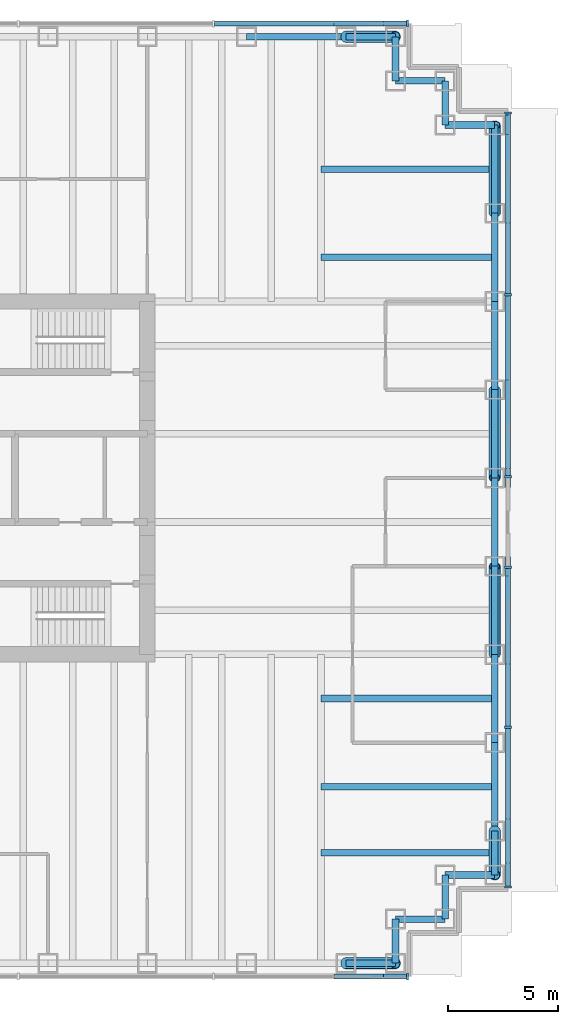
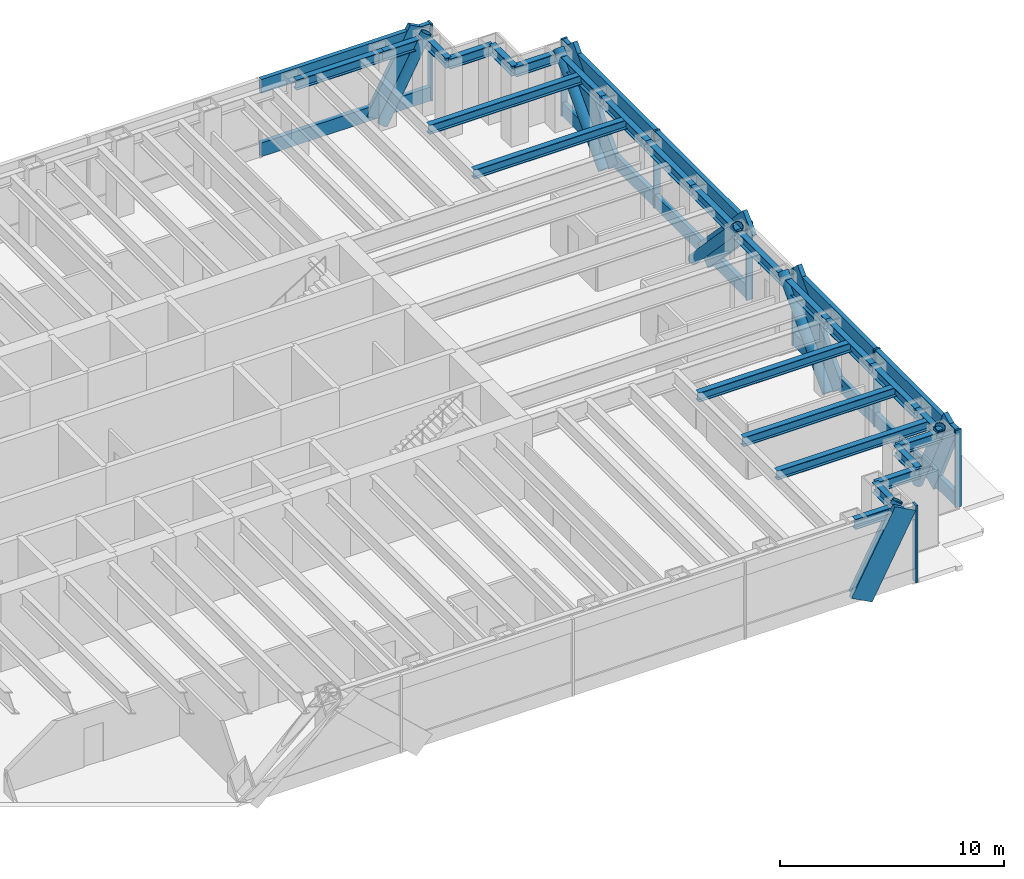
# One storey, part 5 of 12: 30 members, 25 beams, 4 elements without a shape of their own.
"""IFC4 building model written with IfcOpenShell, lengths in metres."""

import ifcopenshell
import ifcopenshell.guid

model = None  # the IFC model being written
_history = None  # IfcOwnerHistory: only IFC2X3 demands one
_inside = {}  # id of a spatial element -> (the spatial element, [elements in it])
_under = {}  # id of a project, library or spatial element -> (it, [spatial elements below it])
_declared = {}  # id of a project -> (the project, [libraries it declares])
_typed = {}  # id of a type object -> (the type object, [elements of that type])
_made_of = {}  # id of a material, layer set ... -> (it, [elements and type objects made of it])


def new_model(schema):
    """Start an empty IFC model of exactly this schema.

    Asked for "IFC4X3", IfcOpenShell would pick the latest addendum, in which some entities
    have other attributes; the version numbers below select the first issue.
    IFC2X3 requires an IfcOwnerHistory on every rooted entity: one is made here for all.
    """
    global model, _history
    if schema == "IFC4X3":
        model = ifcopenshell.file(schema_version=(4, 3, 0, 0))
    else:
        model = ifcopenshell.file(schema=schema)
    _inside.clear()
    _under.clear()
    _declared.clear()
    _typed.clear()
    _made_of.clear()
    _history = None
    if model.schema == "IFC2X3":
        org = make("IfcOrganization", Name="unknown")
        user = make(
            "IfcPersonAndOrganization",
            ThePerson=make("IfcPerson", FamilyName="unknown"),
            TheOrganization=org,
        )
        app = make(
            "IfcApplication",
            ApplicationDeveloper=org,
            Version="unknown",
            ApplicationFullName="unknown",
            ApplicationIdentifier="unknown",
        )
        _history = make(
            "IfcOwnerHistory",
            OwningUser=user,
            OwningApplication=app,
            ChangeAction="ADDED",
            CreationDate=0,
        )
    return model


def make(cls, **values):
    """One entity of the class cls with the attributes given. An attribute that is None is left unset."""
    return model.create_entity(
        cls, **{name: value for name, value in values.items() if value is not None}
    )


def rooted(cls, **values):
    """An entity with a GlobalId (a new one), such as an element, a storey or a relation."""
    return make(cls, GlobalId=ifcopenshell.guid.new(), OwnerHistory=_history, **values)


def si_unit(unit_type, name, prefix=None):
    """IfcSIUnit, for example si_unit("LENGTHUNIT", "METRE", prefix="MILLI")."""
    return make("IfcSIUnit", UnitType=unit_type, Prefix=prefix, Name=name)


def assignment(units):
    """IfcUnitAssignment: the units of a project."""
    return None if units is None else make("IfcUnitAssignment", Units=units)


def point(xyz):
    """IfcCartesianPoint."""
    return None if xyz is None else make("IfcCartesianPoint", Coordinates=xyz)


def direction(xyz):
    """IfcDirection."""
    return None if xyz is None else make("IfcDirection", DirectionRatios=xyz)


def frame(location, z_axis=None, x_axis=None):
    """IfcAxis2Placement3D, a coordinate frame: its origin and axes. An axis left out is left unset."""
    return make(
        "IfcAxis2Placement3D",
        Location=point(location),
        Axis=direction(z_axis),
        RefDirection=direction(x_axis),
    )


def frame_2d(location, x_axis=None):
    """IfcAxis2Placement2D, a coordinate frame in the plane: its origin and x axis."""
    return make(
        "IfcAxis2Placement2D", Location=point(location), RefDirection=direction(x_axis)
    )


def origin():
    """The frame at (0, 0, 0) with its axes left unset."""
    return frame((0.0, 0.0, 0.0))


def origin_2d():
    """The frame at (0, 0) in the plane with its x axis left unset."""
    return frame_2d((0.0, 0.0))


def place(relative_to, where):
    """IfcLocalPlacement: puts the frame where relative to a parent placement (None: the world)."""
    return make(
        "IfcLocalPlacement", PlacementRelTo=relative_to, RelativePlacement=where
    )


def context(
    kind, dimensions, precision=None, world=None, true_north=None, identifier=None
):
    """IfcGeometricRepresentationContext, for example the 3D "Model" context."""
    return make(
        "IfcGeometricRepresentationContext",
        ContextIdentifier=identifier,
        ContextType=kind,
        CoordinateSpaceDimension=dimensions,
        Precision=precision,
        WorldCoordinateSystem=world,
        TrueNorth=true_north,
    )


def subcontext(parent, identifier, kind, view, scale=None):
    """IfcGeometricRepresentationSubContext, for example "Body" below "Model"."""
    return make(
        "IfcGeometricRepresentationSubContext",
        ContextIdentifier=identifier,
        ContextType=kind,
        ParentContext=parent,
        TargetScale=scale,
        TargetView=view,
    )


def project(units=None, contexts=None):
    """IfcProject with its units and contexts."""
    return rooted(
        "IfcProject",
        Name="project",
        RepresentationContexts=contexts,
        UnitsInContext=assignment(units),
    )


def spatial(cls, under=None, at=None, **own):
    """A site, building, storey or space (cls), placed at a placement, below another one or the project."""
    s = rooted(cls, ObjectPlacement=at, **own)
    if under is not None:
        _under.setdefault(under.id(), (under, []))[1].append(s)
    return s


def profile(cls, at=None, kind="AREA", **sizes):
    """A parametric profile (cls). Its sizes go by their IFC names, for example OverallWidth=200.0."""
    return make(cls, ProfileType=kind, Position=at, **sizes)


def rectangle(**sizes):
    """IfcRectangleProfileDef."""
    return profile("IfcRectangleProfileDef", **sizes)


def hollow_circle(**sizes):
    """IfcCircleHollowProfileDef."""
    return profile("IfcCircleHollowProfileDef", **sizes)


def i_section(**sizes):
    """IfcIShapeProfileDef."""
    return profile("IfcIShapeProfileDef", **sizes)


def extrude(swept, where, along, depth):
    """IfcExtrudedAreaSolid: the profile swept, set in the frame where, extruded along a direction by depth."""
    return make(
        "IfcExtrudedAreaSolid",
        SweptArea=swept,
        Position=where,
        ExtrudedDirection=direction(along),
        Depth=depth,
    )


def shape(context_of_items, identifier, shape_type, items):
    """IfcShapeRepresentation: the items that make up one representation, for example the "Body"."""
    return make(
        "IfcShapeRepresentation",
        ContextOfItems=context_of_items,
        RepresentationIdentifier=identifier,
        RepresentationType=shape_type,
        Items=items,
    )


def material(Name=None, Category=None):
    """IfcMaterial."""
    return make("IfcMaterial", Name=Name, Category=Category)


def material_profile(
    of_material, cross_section, Name=None, Category=None, Priority=None
):
    """IfcMaterialProfile: a cross section and its material."""
    return make(
        "IfcMaterialProfile",
        Name=Name,
        Material=of_material,
        Profile=cross_section,
        Priority=Priority,
        Category=Category,
    )


def profile_set(profiles, Name=None, composite=None):
    """IfcMaterialProfileSet."""
    return make(
        "IfcMaterialProfileSet",
        Name=Name,
        MaterialProfiles=profiles,
        CompositeProfile=composite,
    )


def made_of(thing, what):
    """Note that an element or type object is made of a material, layer set ...; save() writes the relation."""
    if what is not None:
        _made_of.setdefault(what.id(), (what, []))[1].append(thing)
    return thing


def type_object(cls, material=None, **own):
    """A type object (cls), such as IfcWallType, which elements share."""
    return made_of(rooted(cls, **own), material)


def element(
    cls,
    number,
    at=None,
    inside=None,
    cuts=None,
    type_object=None,
    material=None,
    context=None,
    identifier="Body",
    shape_type=None,
    held_by="IfcProductDefinitionShape",
    body=None,
    shapes=None,
    **own,
):
    """One element of the class cls, such as IfcWall. Its Tag is "e" and its number.

    at: its placement. inside: the storey or other place that contains it. cuts: it is an
    opening in that element (IfcRelVoidsElement). A single representation is given by context,
    identifier, shape_type and body (its items); several are given by shapes. held_by: the class
    of the entity that holds the representations. save() writes the other relations.
    """
    e = rooted(cls, Tag="e%d" % number, ObjectPlacement=at, **own)
    if body is not None:
        shapes = [shape(context, identifier, shape_type, body)]
    if shapes is not None:
        e.Representation = make(held_by, Representations=shapes)
    if inside is not None:
        _inside.setdefault(inside.id(), (inside, []))[1].append(e)
    if cuts is not None:
        rooted(
            "IfcRelVoidsElement", RelatingBuildingElement=cuts, RelatedOpeningElement=e
        )
    if type_object is not None:
        _typed.setdefault(type_object.id(), (type_object, []))[1].append(e)
    return made_of(e, material)


def aggregate(whole, parts):
    """IfcRelAggregates: a whole, such as a stair, and the parts it consists of."""
    return rooted("IfcRelAggregates", RelatingObject=whole, RelatedObjects=parts)


def save(model, path):
    """Write the relations noted so far, then the file.

    IfcRelAggregates (storeys below a building ...), IfcRelContainedInSpatialStructure (elements
    in a storey), IfcRelDefinesByType, IfcRelAssociatesMaterial and IfcRelDeclares: one each for
    every whole, place, type object, material and project.
    """
    for whole, parts in _under.values():
        aggregate(whole, parts)
    for where, things in _inside.values():
        rooted(
            "IfcRelContainedInSpatialStructure",
            RelatedElements=things,
            RelatingStructure=where,
        )
    for kind, things in _typed.values():
        rooted("IfcRelDefinesByType", RelatedObjects=things, RelatingType=kind)
    for what, things in _made_of.values():
        rooted("IfcRelAssociatesMaterial", RelatedObjects=things, RelatingMaterial=what)
    for by, libraries in _declared.values():
        rooted("IfcRelDeclares", RelatingContext=by, RelatedDefinitions=libraries)
    model.write(path)


model = new_model("IFC4")

# Units and contexts
model_context = context("Model", 3, precision=1e-05, world=origin(), true_north=direction((0.0, 1.0)))
body_context = subcontext(model_context, "Body", "Model", "MODEL_VIEW")
ifc_project = project(units=[si_unit("LENGTHUNIT", "METRE"), si_unit("AREAUNIT", "SQUARE_METRE"), si_unit("VOLUMEUNIT", "CUBIC_METRE"), si_unit("PLANEANGLEUNIT", "RADIAN"), si_unit("MASSUNIT", "GRAM", prefix="KILO")], contexts=[model_context])

# Site, building, storey
site_placement = place(None, origin())
site = spatial("IfcSite", under=ifc_project, at=site_placement, CompositionType="ELEMENT")
building_placement = place(site_placement, origin())
building = spatial("IfcBuilding", under=site, at=building_placement, Name="Rheinbord Bourse Tower", CompositionType="ELEMENT")
storey_placement = place(building_placement, frame((0.0, 0.0, 271.10009765625)))
storey = spatial("IfcBuildingStorey", under=building, at=storey_placement, Name="L61", CompositionType="ELEMENT", Elevation=271.10009765625)

# Curtain wall, member
ifc_material_1 = material(Name="Dark glass and black aluminium", Category="aluminium")
curtain_wall_type = type_object("IfcCurtainWallType", Name="CW6 DARK GLASS CURTAIN WALL", PredefinedType="USERDEFINED", material=ifc_material_1)
curtain_wall_1_placement = place(storey_placement, origin())
curtain_wall_1 = element("IfcCurtainWall", 1, at=curtain_wall_1_placement, inside=storey, type_object=curtain_wall_type, Name="Curtain wall CW6 S L61", ObjectType="UNITISED CURTAIN WALL", PredefinedType="USERDEFINED")
ifc_material_2 = material(Name="Black anodised aluminium", Category="aluminium")
ifc_material_profile_1 = material_profile(ifc_material_2, rectangle(XDim=0.219970703125, YDim=1.2099609375, at=origin_2d()), Name="CW6 DIAGONAL MULLION 1210x220")
ifc_profile_set_1 = profile_set([ifc_material_profile_1], Name="Black anodised aluminium")
member_type_1 = type_object("IfcMemberType", Name="CW6 BLACK DIAGONAL MULLION", PredefinedType="USERDEFINED", material=ifc_profile_set_1)
member_1_placement = place(storey_placement, frame((63.0, 1.39990234375, 0.0), z_axis=(0.472225678258, 0.0, 0.881477684796), x_axis=(0.0, 1.0, 0.0)))
member_1 = element("IfcMember", 2, at=member_1_placement, type_object=member_type_1, Name="CW6 diagonal mullion c", ObjectType="DIAGONAL MULLION", PredefinedType="USERDEFINED", context=body_context, shape_type="SweptSolid", body=[
    extrude(rectangle(XDim=0.219970703125, YDim=1.2099609375, at=origin_2d()), origin(), (0.0, 0.0, 1.0), 4.7646484375),
])

# Curtain wall, members
curtain_wall_2_placement = place(storey_placement, origin())
curtain_wall_2 = element("IfcCurtainWall", 3, at=curtain_wall_2_placement, inside=storey, type_object=curtain_wall_type, Name="Curtain wall CW6 E L61", ObjectType="UNITISED CURTAIN WALL", PredefinedType="USERDEFINED")
member_2_placement = place(storey_placement, frame((70.35009765625, 8.0, 0.0), z_axis=(0.0, -0.429937654825, 0.902858578607), x_axis=(1.0, 0.0, 0.0)))
member_2 = element("IfcMember", 4, at=member_2_placement, type_object=member_type_1, Name="CW6 diagonal mullion b", ObjectType="DIAGONAL MULLION", PredefinedType="USERDEFINED", context=body_context, shape_type="SweptSolid", body=[
    extrude(rectangle(XDim=0.219970703125, YDim=1.2099609375, at=origin_2d()), origin(), (0.0, 0.0, 1.0), 4.65185546875),
])
member_3_placement = place(storey_placement, frame((70.35009765625, 16.0, 0.0), z_axis=(0.0, 0.689659376744, 0.724133926887), x_axis=(-1.0, 0.0, 0.0)))
member_3 = element("IfcMember", 5, at=member_3_placement, type_object=member_type_1, Name="CW6 diagonal mullion d", ObjectType="DIAGONAL MULLION", PredefinedType="USERDEFINED", context=body_context, shape_type="SweptSolid", body=[
    extrude(rectangle(XDim=0.219970703125, YDim=1.2099609375, at=origin_2d()), origin(), (0.0, 0.0, 1.0), 5.800048828125),
])

curtain_wall_3_placement = place(storey_placement, origin())
curtain_wall_3 = element("IfcCurtainWall", 6, at=curtain_wall_3_placement, inside=storey, type_object=curtain_wall_type, Name="Curtain wall CW6 E L61", ObjectType="UNITISED CURTAIN WALL", PredefinedType="USERDEFINED")
member_4_placement = place(storey_placement, frame((70.35009765625, 36.0, 0.0), z_axis=(0.0, 0.689659376744, 0.724133926887), x_axis=(-1.0, 0.0, 0.0)))
member_4 = element("IfcMember", 7, at=member_4_placement, type_object=member_type_1, Name="CW6 diagonal mullion a", ObjectType="DIAGONAL MULLION", PredefinedType="USERDEFINED", context=body_context, shape_type="SweptSolid", body=[
    extrude(rectangle(XDim=0.219970703125, YDim=1.2099609375, at=origin_2d()), origin(), (0.0, 0.0, 1.0), 5.800048828125),
])
member_5_placement = place(storey_placement, frame((70.35009765625, 28.0, 0.0), z_axis=(0.0, -0.689659376744, 0.724133926887), x_axis=(1.0, 0.0, 0.0)))
member_5 = element("IfcMember", 8, at=member_5_placement, type_object=member_type_1, Name="CW6 diagonal mullion c", ObjectType="DIAGONAL MULLION", PredefinedType="USERDEFINED", context=body_context, shape_type="SweptSolid", body=[
    extrude(rectangle(XDim=0.219970703125, YDim=1.2099609375, at=origin_2d()), origin(), (0.0, 0.0, 1.0), 5.800048828125),
])

# Curtain wall, member
curtain_wall_4_placement = place(storey_placement, origin())
curtain_wall_4 = element("IfcCurtainWall", 9, at=curtain_wall_4_placement, inside=storey, type_object=curtain_wall_type, Name="Curtain wall CW6 N L61", ObjectType="UNITISED CURTAIN WALL", PredefinedType="USERDEFINED")
member_6_placement = place(storey_placement, frame((63.0, 44.60009765625, 0.0), z_axis=(0.472225678258, 0.0, 0.881477684796), x_axis=(0.0, 1.0, 0.0)))
member_6 = element("IfcMember", 10, at=member_6_placement, type_object=member_type_1, Name="CW6 diagonal mullion c", ObjectType="DIAGONAL MULLION", PredefinedType="USERDEFINED", context=body_context, shape_type="SweptSolid", body=[
    extrude(rectangle(XDim=0.219970703125, YDim=1.2099609375, at=origin_2d()), origin(), (0.0, 0.0, 1.0), 4.7646484375),
])

# Member
ifc_material_3 = material(Name="Black anodised aluminium", Category="aluminium")
ifc_material_profile_2 = material_profile(ifc_material_3, rectangle(XDim=0.320068359375, YDim=0.10009765625, at=origin_2d()), Name="CW6 MULLION 100x320")
ifc_profile_set_2 = profile_set([ifc_material_profile_2], Name="Black anodised aluminium")
member_type_2 = type_object("IfcMemberType", Name="CW6 BLACK MULLION", PredefinedType="MULLION", material=ifc_profile_set_2)
member_7_placement = place(storey_placement, frame((65.800048828125, 1.39990234375, 0.0), z_axis=(0.0, 0.0, 1.0), x_axis=(0.0, 1.0, 0.0)))
member_7 = element("IfcMember", 11, at=member_7_placement, type_object=member_type_2, Name="CW6 mullion 8", PredefinedType="MULLION", context=body_context, shape_type="SweptSolid", body=[
    extrude(rectangle(XDim=0.320068359375, YDim=0.10009765625, at=origin_2d()), origin(), (0.0, 0.0, 1.0), 4.199951171875),
])

aggregate(curtain_wall_1, [member_7, member_1])

member_8_placement = place(storey_placement, frame((70.35009765625, 5.449951171875, 0.0), z_axis=(0.0, 0.0, 1.0), x_axis=(-1.0, 0.0, 0.0)))
member_8 = element("IfcMember", 12, at=member_8_placement, type_object=member_type_2, Name="CW6 mullion 1", PredefinedType="MULLION", context=body_context, shape_type="SweptSolid", body=[
    extrude(rectangle(XDim=0.320068359375, YDim=0.10009765625, at=origin_2d()), origin(), (0.0, 0.0, 1.0), 4.199951171875),
])

member_9_placement = place(storey_placement, frame((70.35009765625, 12.699951171875, 0.0), z_axis=(0.0, 0.0, 1.0), x_axis=(-1.0, 0.0, 0.0)))
member_9 = element("IfcMember", 13, at=member_9_placement, type_object=member_type_2, Name="CW6 mullion 2", PredefinedType="MULLION", context=body_context, shape_type="SweptSolid", body=[
    extrude(rectangle(XDim=0.320068359375, YDim=0.10009765625, at=origin_2d()), origin(), (0.0, 0.0, 1.0), 4.199951171875),
])

member_10_placement = place(storey_placement, frame((70.35009765625, 19.949951171875, 0.0), z_axis=(0.0, 0.0, 1.0), x_axis=(-1.0, 0.0, 0.0)))
member_10 = element("IfcMember", 14, at=member_10_placement, type_object=member_type_2, Name="CW6 mullion 3", PredefinedType="MULLION", context=body_context, shape_type="SweptSolid", body=[
    extrude(rectangle(XDim=0.320068359375, YDim=0.10009765625, at=origin_2d()), origin(), (0.0, 0.0, 1.0), 4.199951171875),
])

member_11_placement = place(storey_placement, frame((70.35009765625, 24.050048828125, 0.0), z_axis=(0.0, 0.0, 1.0), x_axis=(-1.0, 0.0, 0.0)))
member_11 = element("IfcMember", 15, at=member_11_placement, type_object=member_type_2, Name="CW6 mullion 1", PredefinedType="MULLION", context=body_context, shape_type="SweptSolid", body=[
    extrude(rectangle(XDim=0.320068359375, YDim=0.10009765625, at=origin_2d()), origin(), (0.0, 0.0, 1.0), 4.199951171875),
])

member_12_placement = place(storey_placement, frame((70.35009765625, 32.300048828125, 0.0), z_axis=(0.0, 0.0, 1.0), x_axis=(-1.0, 0.0, 0.0)))
member_12 = element("IfcMember", 16, at=member_12_placement, type_object=member_type_2, Name="CW6 mullion 2", PredefinedType="MULLION", context=body_context, shape_type="SweptSolid", body=[
    extrude(rectangle(XDim=0.320068359375, YDim=0.10009765625, at=origin_2d()), origin(), (0.0, 0.0, 1.0), 4.199951171875),
])

member_13_placement = place(storey_placement, frame((70.35009765625, 40.550048828125, 0.0), z_axis=(0.0, 0.0, 1.0), x_axis=(-1.0, 0.0, 0.0)))
member_13 = element("IfcMember", 17, at=member_13_placement, type_object=member_type_2, Name="CW6 mullion 3", PredefinedType="MULLION", context=body_context, shape_type="SweptSolid", body=[
    extrude(rectangle(XDim=0.320068359375, YDim=0.10009765625, at=origin_2d()), origin(), (0.0, 0.0, 1.0), 4.199951171875),
])

member_14_placement = place(storey_placement, frame((65.800048828125, 44.60009765625, 0.0), z_axis=(0.0, 0.0, 1.0), x_axis=(0.0, -1.0, 0.0)))
member_14 = element("IfcMember", 18, at=member_14_placement, type_object=member_type_2, Name="CW6 mullion 1", PredefinedType="MULLION", context=body_context, shape_type="SweptSolid", body=[
    extrude(rectangle(XDim=0.320068359375, YDim=0.10009765625, at=origin_2d()), origin(), (0.0, 0.0, 1.0), 4.199951171875),
])

ifc_material_4 = material(Name="Black anodised aluminium", Category="aluminium")
ifc_material_profile_3 = material_profile(ifc_material_4, rectangle(XDim=0.219970703125, YDim=0.75, at=origin_2d()), Name="CW6 TRANSOM 750x220")
ifc_profile_set_3 = profile_set([ifc_material_profile_3], Name="Black anodised aluminium")
member_type_3 = type_object("IfcMemberType", Name="CW6 BLACK TRANSOM", PredefinedType="USERDEFINED", material=ifc_profile_set_3)
member_15_placement = place(storey_placement, frame((70.35009765625, 5.5, 0.375), z_axis=(0.0, 1.0, 0.0), x_axis=(-1.0, 0.0, 0.0)))
member_15 = element("IfcMember", 19, at=member_15_placement, type_object=member_type_3, Name="CW6 transom 1.1", ObjectType="TRANSOM", PredefinedType="USERDEFINED", context=body_context, shape_type="SweptSolid", body=[
    extrude(rectangle(XDim=0.219970703125, YDim=0.75, at=origin_2d()), origin(), (0.0, 0.0, 1.0), 7.14990234375),
])

member_16_placement = place(storey_placement, frame((70.35009765625, 5.5, 3.824951171875), z_axis=(0.0, 1.0, 0.0), x_axis=(-1.0, 0.0, 0.0)))
member_16 = element("IfcMember", 20, at=member_16_placement, type_object=member_type_3, Name="CW6 transom 1.2", ObjectType="TRANSOM", PredefinedType="USERDEFINED", context=body_context, shape_type="SweptSolid", body=[
    extrude(rectangle(XDim=0.219970703125, YDim=0.75, at=origin_2d()), origin(), (0.0, 0.0, 1.0), 7.14990234375),
])

member_17_placement = place(storey_placement, frame((70.35009765625, 12.75, 0.375), z_axis=(0.0, 1.0, 0.0), x_axis=(-1.0, 0.0, 0.0)))
member_17 = element("IfcMember", 21, at=member_17_placement, type_object=member_type_3, Name="CW6 transom 2.1", ObjectType="TRANSOM", PredefinedType="USERDEFINED", context=body_context, shape_type="SweptSolid", body=[
    extrude(rectangle(XDim=0.219970703125, YDim=0.75, at=origin_2d()), origin(), (0.0, 0.0, 1.0), 7.14990234375),
])

member_18_placement = place(storey_placement, frame((70.35009765625, 12.75, 3.824951171875), z_axis=(0.0, 1.0, 0.0), x_axis=(-1.0, 0.0, 0.0)))
member_18 = element("IfcMember", 22, at=member_18_placement, type_object=member_type_3, Name="CW6 transom 2.2", ObjectType="TRANSOM", PredefinedType="USERDEFINED", context=body_context, shape_type="SweptSolid", body=[
    extrude(rectangle(XDim=0.219970703125, YDim=0.75, at=origin_2d()), origin(), (0.0, 0.0, 1.0), 7.14990234375),
])

aggregate(curtain_wall_2, [member_8, member_9, member_10, member_15, member_16, member_17, member_18, member_2, member_3])

member_19_placement = place(storey_placement, frame((70.35009765625, 24.10009765625, 0.375), z_axis=(0.0, 1.0, 0.0), x_axis=(-1.0, 0.0, 0.0)))
member_19 = element("IfcMember", 23, at=member_19_placement, type_object=member_type_3, Name="CW6 transom 1.1", ObjectType="TRANSOM", PredefinedType="USERDEFINED", context=body_context, shape_type="SweptSolid", body=[
    extrude(rectangle(XDim=0.219970703125, YDim=0.75, at=origin_2d()), origin(), (0.0, 0.0, 1.0), 8.14990234375),
])

member_20_placement = place(storey_placement, frame((70.35009765625, 24.10009765625, 3.824951171875), z_axis=(0.0, 1.0, 0.0), x_axis=(-1.0, 0.0, 0.0)))
member_20 = element("IfcMember", 24, at=member_20_placement, type_object=member_type_3, Name="CW6 transom 1.2", ObjectType="TRANSOM", PredefinedType="USERDEFINED", context=body_context, shape_type="SweptSolid", body=[
    extrude(rectangle(XDim=0.219970703125, YDim=0.75, at=origin_2d()), origin(), (0.0, 0.0, 1.0), 8.14990234375),
])

member_21_placement = place(storey_placement, frame((70.35009765625, 32.35009765625, 0.375), z_axis=(0.0, 1.0, 0.0), x_axis=(-1.0, 0.0, 0.0)))
member_21 = element("IfcMember", 25, at=member_21_placement, type_object=member_type_3, Name="CW6 transom 2.1", ObjectType="TRANSOM", PredefinedType="USERDEFINED", context=body_context, shape_type="SweptSolid", body=[
    extrude(rectangle(XDim=0.219970703125, YDim=0.75, at=origin_2d()), origin(), (0.0, 0.0, 1.0), 8.14990234375),
])

member_22_placement = place(storey_placement, frame((70.35009765625, 32.35009765625, 3.824951171875), z_axis=(0.0, 1.0, 0.0), x_axis=(-1.0, 0.0, 0.0)))
member_22 = element("IfcMember", 26, at=member_22_placement, type_object=member_type_3, Name="CW6 transom 2.2", ObjectType="TRANSOM", PredefinedType="USERDEFINED", context=body_context, shape_type="SweptSolid", body=[
    extrude(rectangle(XDim=0.219970703125, YDim=0.75, at=origin_2d()), origin(), (0.0, 0.0, 1.0), 8.14990234375),
])

aggregate(curtain_wall_3, [member_11, member_12, member_13, member_19, member_20, member_21, member_22, member_4, member_5])

member_23_placement = place(storey_placement, frame((65.75, 44.60009765625, 0.375), z_axis=(-1.0, 0.0, 0.0), x_axis=(0.0, -1.0, 0.0)))
member_23 = element("IfcMember", 27, at=member_23_placement, type_object=member_type_3, Name="CW6 transom 1.1", ObjectType="TRANSOM", PredefinedType="USERDEFINED", context=body_context, shape_type="SweptSolid", body=[
    extrude(rectangle(XDim=0.219970703125, YDim=0.75, at=origin_2d()), origin(), (0.0, 0.0, 1.0), 8.699951171875),
])

member_24_placement = place(storey_placement, frame((65.75, 44.60009765625, 3.824951171875), z_axis=(-1.0, 0.0, 0.0), x_axis=(0.0, -1.0, 0.0)))
member_24 = element("IfcMember", 28, at=member_24_placement, type_object=member_type_3, Name="CW6 transom 1.2", ObjectType="TRANSOM", PredefinedType="USERDEFINED", context=body_context, shape_type="SweptSolid", body=[
    extrude(rectangle(XDim=0.219970703125, YDim=0.75, at=origin_2d()), origin(), (0.0, 0.0, 1.0), 8.699951171875),
])

aggregate(curtain_wall_4, [member_14, member_23, member_24, member_6])

# Members
ifc_material_5 = material(Name="Steel S460", Category="steel")
ifc_material_profile_4 = material_profile(ifc_material_5, hollow_circle(Radius=0.25390625, WallThickness=0.030029296875, at=origin_2d()), Name="CHS 508x30")
ifc_profile_set_4 = profile_set([ifc_material_profile_4], Name="Steel S460")
member_type_4 = type_object("IfcMemberType", Name="MEGABRACE CHS 508x30", PredefinedType="BRACE", material=ifc_profile_set_4)
member_25_placement = place(storey_placement, frame((63.0, 2.0, 0.0), z_axis=(0.472225678258, 0.0, 0.881477684796), x_axis=(0.0, 1.0, 0.0)))
element("IfcMember", 29, at=member_25_placement, inside=storey, type_object=member_type_4, Name="Megabrace S face line c L61", PredefinedType="BRACE", context=body_context, shape_type="SweptSolid", body=[
    extrude(hollow_circle(Radius=0.25390625, WallThickness=0.030029296875, at=origin_2d()), origin(), (0.0, 0.0, 1.0), 4.7646484375),
])
member_26_placement = place(storey_placement, frame((69.75, 36.0, 0.0), z_axis=(0.0, 0.689659376744, 0.724133926887), x_axis=(-1.0, 0.0, 0.0)))
element("IfcMember", 30, at=member_26_placement, inside=storey, type_object=member_type_4, Name="Megabrace E face line a L61", PredefinedType="BRACE", context=body_context, shape_type="SweptSolid", body=[
    extrude(hollow_circle(Radius=0.25390625, WallThickness=0.030029296875, at=origin_2d()), origin(), (0.0, 0.0, 1.0), 5.800048828125),
])
member_27_placement = place(storey_placement, frame((69.75, 8.0, 0.0), z_axis=(0.0, -0.429937654825, 0.902858578607), x_axis=(1.0, 0.0, 0.0)))
element("IfcMember", 31, at=member_27_placement, inside=storey, type_object=member_type_4, Name="Megabrace E face line b L61", PredefinedType="BRACE", context=body_context, shape_type="SweptSolid", body=[
    extrude(hollow_circle(Radius=0.25390625, WallThickness=0.030029296875, at=origin_2d()), origin(), (0.0, 0.0, 1.0), 4.65185546875),
])
for number, where, z_axis, x_axis, name in (
    (32, (69.75, 28.0, 0.0), (0.0, -0.689659376744, 0.724133926887), (1.0, 0.0, 0.0), "Megabrace E face line c L61"),
    (33, (69.75, 16.0, 0.0), (0.0, 0.689659376744, 0.724133926887), (-1.0, 0.0, 0.0), "Megabrace E face line d L61"),
):
    element("IfcMember", number, at=place(storey_placement, frame(where, z_axis=z_axis, x_axis=x_axis)), inside=storey, type_object=member_type_4, Name=name, PredefinedType="BRACE", context=body_context, shape_type="SweptSolid", body=[
        extrude(hollow_circle(Radius=0.25390625, WallThickness=0.030029296875, at=origin_2d()), origin(), (0.0, 0.0, 1.0), 5.800048828125),
    ])
member_28_placement = place(storey_placement, frame((63.0, 44.0, 0.0), z_axis=(0.472225678258, 0.0, 0.881477684796), x_axis=(0.0, 1.0, 0.0)))
element("IfcMember", 34, at=member_28_placement, inside=storey, type_object=member_type_4, Name="Megabrace N face line c L61", PredefinedType="BRACE", context=body_context, shape_type="SweptSolid", body=[
    extrude(hollow_circle(Radius=0.25390625, WallThickness=0.030029296875, at=origin_2d()), origin(), (0.0, 0.0, 1.0), 4.7646484375),
])

# Beams
ifc_material_6 = material(Name="Steel S460", Category="steel")
ifc_material_profile_5 = material_profile(ifc_material_6, i_section(OverallWidth=0.300048828125, OverallDepth=0.550048828125, WebThickness=0.014892578125, FlangeThickness=0.029052734375, at=origin_2d()), Name="HEB 550")
ifc_profile_set_5 = profile_set([ifc_material_profile_5], Name="Steel S460")
beam_type_1 = type_object("IfcBeamType", Name="SPANDREL HEB 550", PredefinedType="SPANDREL", material=ifc_profile_set_5)
beam_1_placement = place(storey_placement, frame((63.0, 2.0, 3.764892578125), z_axis=(1.0, 0.0, 0.0), x_axis=(0.0, 1.0, 0.0)))
element("IfcBeam", 35, at=beam_1_placement, inside=storey, type_object=beam_type_1, Name="Spandrel S-63-SE-E under L62", PredefinedType="SPANDREL", context=body_context, shape_type="SweptSolid", body=[
    extrude(i_section(OverallWidth=0.300048828125, OverallDepth=0.550048828125, WebThickness=0.014892578125, FlangeThickness=0.029052734375, at=origin_2d()), origin(), (0.0, 0.0, 1.0), 2.25),
])
beam_2_placement = place(storey_placement, frame((65.25, 2.0, 3.764892578125), z_axis=(0.0, 1.0, 0.0), x_axis=(-1.0, 0.0, 0.0)))
element("IfcBeam", 36, at=beam_2_placement, inside=storey, type_object=beam_type_1, Name="Spandrel SE-E-SE-D under L62", PredefinedType="SPANDREL", context=body_context, shape_type="SweptSolid", body=[
    extrude(i_section(OverallWidth=0.300048828125, OverallDepth=0.550048828125, WebThickness=0.014892578125, FlangeThickness=0.029052734375, at=origin_2d()), origin(), (0.0, 0.0, 1.0), 2.0),
])
beam_3_placement = place(storey_placement, frame((65.25, 4.0, 3.764892578125), z_axis=(1.0, 0.0, 0.0), x_axis=(0.0, 1.0, 0.0)))
element("IfcBeam", 37, at=beam_3_placement, inside=storey, type_object=beam_type_1, Name="Spandrel SE-D-SE-C under L62", PredefinedType="SPANDREL", context=body_context, shape_type="SweptSolid", body=[
    extrude(i_section(OverallWidth=0.300048828125, OverallDepth=0.550048828125, WebThickness=0.014892578125, FlangeThickness=0.029052734375, at=origin_2d()), origin(), (0.0, 0.0, 1.0), 2.25),
])
beam_4_placement = place(storey_placement, frame((67.5, 4.0, 3.764892578125), z_axis=(0.0, 1.0, 0.0), x_axis=(-1.0, 0.0, 0.0)))
element("IfcBeam", 38, at=beam_4_placement, inside=storey, type_object=beam_type_1, Name="Spandrel SE-C-SE-B under L62", PredefinedType="SPANDREL", context=body_context, shape_type="SweptSolid", body=[
    extrude(i_section(OverallWidth=0.300048828125, OverallDepth=0.550048828125, WebThickness=0.014892578125, FlangeThickness=0.029052734375, at=origin_2d()), origin(), (0.0, 0.0, 1.0), 2.0),
])
beam_5_placement = place(storey_placement, frame((67.5, 6.0, 3.764892578125), z_axis=(1.0, 0.0, 0.0), x_axis=(0.0, 1.0, 0.0)))
element("IfcBeam", 39, at=beam_5_placement, inside=storey, type_object=beam_type_1, Name="Spandrel SE-B-SE-A under L62", PredefinedType="SPANDREL", context=body_context, shape_type="SweptSolid", body=[
    extrude(i_section(OverallWidth=0.300048828125, OverallDepth=0.550048828125, WebThickness=0.014892578125, FlangeThickness=0.029052734375, at=origin_2d()), origin(), (0.0, 0.0, 1.0), 2.25),
])
beam_6_placement = place(storey_placement, frame((69.75, 6.0, 3.764892578125), z_axis=(0.0, 1.0, 0.0), x_axis=(-1.0, 0.0, 0.0)))
element("IfcBeam", 40, at=beam_6_placement, inside=storey, type_object=beam_type_1, Name="Spandrel SE-A-E-8 under L62", PredefinedType="SPANDREL", context=body_context, shape_type="SweptSolid", body=[
    extrude(i_section(OverallWidth=0.300048828125, OverallDepth=0.550048828125, WebThickness=0.014892578125, FlangeThickness=0.029052734375, at=origin_2d()), origin(), (0.0, 0.0, 1.0), 2.0),
])
for number, where, z_axis, x_axis, name in (
    (41, (69.75, 8.0, 3.764892578125), (0.0, 1.0, 0.0), (-1.0, 0.0, 0.0), "Spandrel E-8-E-12 under L62"),
    (42, (69.75, 12.0, 3.764892578125), (0.0, 1.0, 0.0), (-1.0, 0.0, 0.0), "Spandrel E-12-E-16 under L62"),
    (43, (69.75, 16.0, 3.764892578125), (0.0, 1.0, 0.0), (-1.0, 0.0, 0.0), "Spandrel E-16-E-20 under L62"),
    (44, (69.75, 20.0, 3.764892578125), (0.0, 1.0, 0.0), (-1.0, 0.0, 0.0), "Spandrel E-20-E-24 under L62"),
    (45, (69.75, 24.0, 3.764892578125), (0.0, 1.0, 0.0), (-1.0, 0.0, 0.0), "Spandrel E-24-E-28 under L62"),
    (46, (69.75, 28.0, 3.764892578125), (0.0, 1.0, 0.0), (-1.0, 0.0, 0.0), "Spandrel E-28-E-32 under L62"),
    (47, (69.75, 32.0, 3.764892578125), (0.0, 1.0, 0.0), (-1.0, 0.0, 0.0), "Spandrel E-32-E-36 under L62"),
    (48, (69.75, 36.0, 3.764892578125), (0.0, 1.0, 0.0), (-1.0, 0.0, 0.0), "Spandrel E-36-NE-A under L62"),
):
    element("IfcBeam", number, at=place(storey_placement, frame(where, z_axis=z_axis, x_axis=x_axis)), inside=storey, type_object=beam_type_1, Name=name, PredefinedType="SPANDREL", context=body_context, shape_type="SweptSolid", body=[
        extrude(i_section(OverallWidth=0.300048828125, OverallDepth=0.550048828125, WebThickness=0.014892578125, FlangeThickness=0.029052734375, at=origin_2d()), origin(), (0.0, 0.0, 1.0), 4.0),
    ])
beam_7_placement = place(storey_placement, frame((69.75, 40.0, 3.764892578125), z_axis=(-1.0, 0.0, 0.0), x_axis=(0.0, -1.0, 0.0)))
element("IfcBeam", 49, at=beam_7_placement, inside=storey, type_object=beam_type_1, Name="Spandrel NE-A-NE-B under L62", PredefinedType="SPANDREL", context=body_context, shape_type="SweptSolid", body=[
    extrude(i_section(OverallWidth=0.300048828125, OverallDepth=0.550048828125, WebThickness=0.014892578125, FlangeThickness=0.029052734375, at=origin_2d()), origin(), (0.0, 0.0, 1.0), 2.25),
])
beam_8_placement = place(storey_placement, frame((67.5, 40.0, 3.764892578125), z_axis=(0.0, 1.0, 0.0), x_axis=(-1.0, 0.0, 0.0)))
element("IfcBeam", 50, at=beam_8_placement, inside=storey, type_object=beam_type_1, Name="Spandrel NE-B-NE-C under L62", PredefinedType="SPANDREL", context=body_context, shape_type="SweptSolid", body=[
    extrude(i_section(OverallWidth=0.300048828125, OverallDepth=0.550048828125, WebThickness=0.014892578125, FlangeThickness=0.029052734375, at=origin_2d()), origin(), (0.0, 0.0, 1.0), 2.0),
])
beam_9_placement = place(storey_placement, frame((67.5, 42.0, 3.764892578125), z_axis=(-1.0, 0.0, 0.0), x_axis=(0.0, -1.0, 0.0)))
element("IfcBeam", 51, at=beam_9_placement, inside=storey, type_object=beam_type_1, Name="Spandrel NE-C-NE-D under L62", PredefinedType="SPANDREL", context=body_context, shape_type="SweptSolid", body=[
    extrude(i_section(OverallWidth=0.300048828125, OverallDepth=0.550048828125, WebThickness=0.014892578125, FlangeThickness=0.029052734375, at=origin_2d()), origin(), (0.0, 0.0, 1.0), 2.25),
])
beam_10_placement = place(storey_placement, frame((65.25, 42.0, 3.764892578125), z_axis=(0.0, 1.0, 0.0), x_axis=(-1.0, 0.0, 0.0)))
element("IfcBeam", 52, at=beam_10_placement, inside=storey, type_object=beam_type_1, Name="Spandrel NE-D-NE-E under L62", PredefinedType="SPANDREL", context=body_context, shape_type="SweptSolid", body=[
    extrude(i_section(OverallWidth=0.300048828125, OverallDepth=0.550048828125, WebThickness=0.014892578125, FlangeThickness=0.029052734375, at=origin_2d()), origin(), (0.0, 0.0, 1.0), 2.0),
])
beam_11_placement = place(storey_placement, frame((65.25, 44.0, 3.764892578125), z_axis=(-1.0, 0.0, 0.0), x_axis=(0.0, -1.0, 0.0)))
element("IfcBeam", 53, at=beam_11_placement, inside=storey, type_object=beam_type_1, Name="Spandrel NE-E-N-63 under L62", PredefinedType="SPANDREL", context=body_context, shape_type="SweptSolid", body=[
    extrude(i_section(OverallWidth=0.300048828125, OverallDepth=0.550048828125, WebThickness=0.014892578125, FlangeThickness=0.029052734375, at=origin_2d()), origin(), (0.0, 0.0, 1.0), 2.25),
])
beam_12_placement = place(storey_placement, frame((63.0, 44.0, 3.764892578125), z_axis=(-1.0, 0.0, 0.0), x_axis=(0.0, -1.0, 0.0)))
element("IfcBeam", 54, at=beam_12_placement, inside=storey, type_object=beam_type_1, Name="Spandrel N-63-N-58.5 under L62", PredefinedType="SPANDREL", context=body_context, shape_type="SweptSolid", body=[
    extrude(i_section(OverallWidth=0.300048828125, OverallDepth=0.550048828125, WebThickness=0.014892578125, FlangeThickness=0.029052734375, at=origin_2d()), origin(), (0.0, 0.0, 1.0), 4.5),
])
ifc_material_7 = material(Name="Steel S460", Category="steel")
ifc_material_profile_6 = material_profile(ifc_material_7, i_section(OverallWidth=0.300048828125, OverallDepth=0.5, WebThickness=0.014404296875, FlangeThickness=0.028076171875, at=origin_2d()), Name="HEB 500")
ifc_profile_set_6 = profile_set([ifc_material_profile_6], Name="Steel S460")
beam_type_2 = type_object("IfcBeamType", Name="TIE BEAM HEB 500", PredefinedType="JOIST", material=ifc_profile_set_6)
for number, where, z_axis, x_axis, name in (
    (55, (61.875, 7.0, 3.789794921875), (1.0, 0.0, 0.0), (0.0, 1.0, 0.0), "Tie east 7 L62"),
    (56, (61.875, 10.0, 3.789794921875), (1.0, 0.0, 0.0), (0.0, 1.0, 0.0), "Tie east 10 L62"),
    (57, (61.875, 14.0, 3.789794921875), (1.0, 0.0, 0.0), (0.0, 1.0, 0.0), "Tie east 14 L62"),
    (58, (61.875, 34.0, 3.789794921875), (1.0, 0.0, 0.0), (0.0, 1.0, 0.0), "Tie east 34 L62"),
    (59, (61.875, 38.0, 3.789794921875), (1.0, 0.0, 0.0), (0.0, 1.0, 0.0), "Tie east 38 L62"),
):
    element("IfcBeam", number, at=place(storey_placement, frame(where, z_axis=z_axis, x_axis=x_axis)), inside=storey, type_object=beam_type_2, Name=name, PredefinedType="JOIST", context=body_context, shape_type="SweptSolid", body=[
        extrude(i_section(OverallWidth=0.300048828125, OverallDepth=0.5, WebThickness=0.014404296875, FlangeThickness=0.028076171875, at=origin_2d()), origin(), (0.0, 0.0, 1.0), 7.875),
    ])

save(model, "model.ifc")
